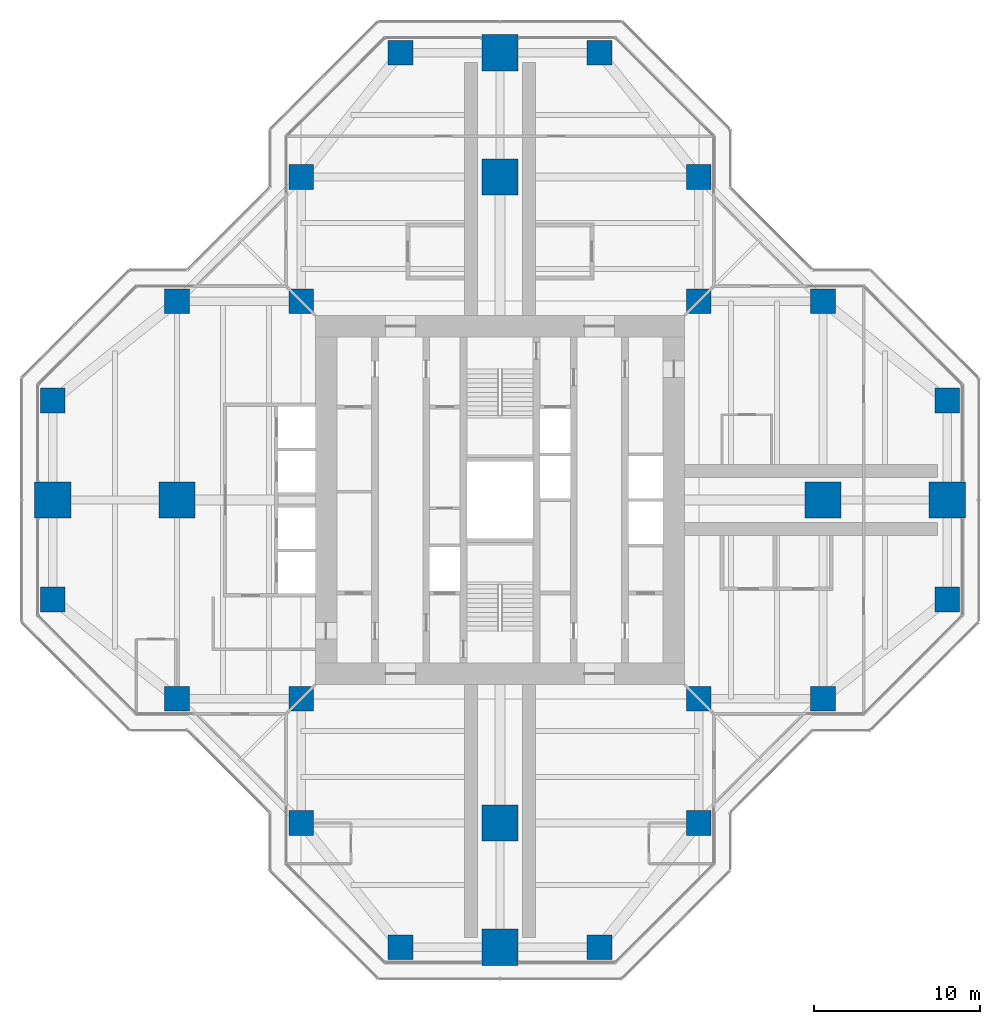
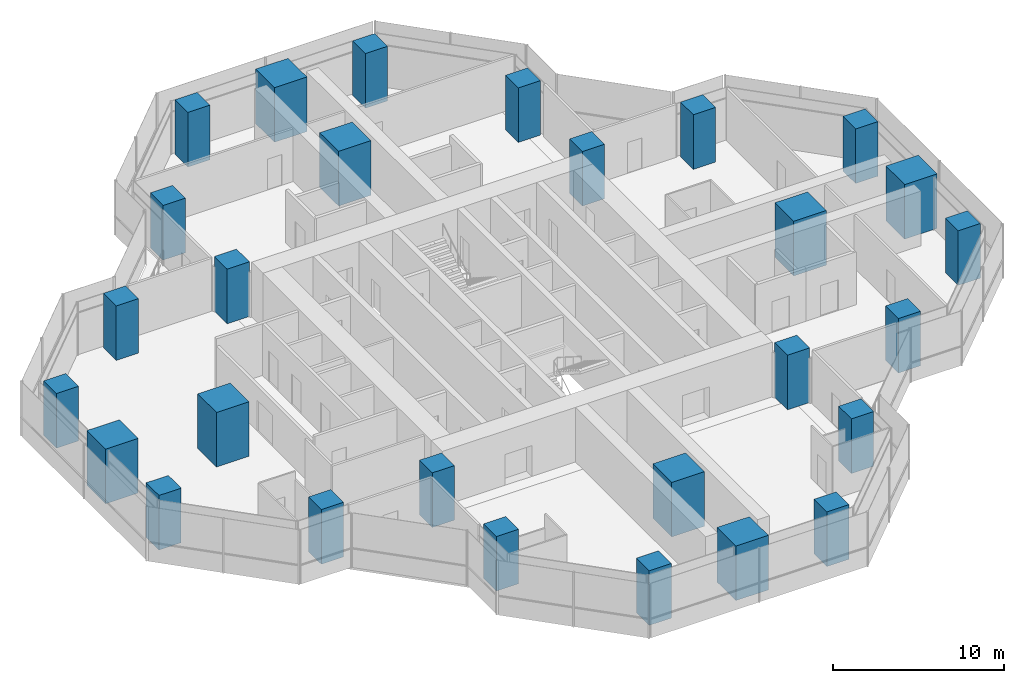
# One storey, part 1 of 17: 28 columns.
"""IFC4 building model written with IfcOpenShell, lengths in metres."""

import ifcopenshell
import ifcopenshell.guid

model = None  # the IFC model being written
_history = None  # IfcOwnerHistory: only IFC2X3 demands one
_inside = {}  # id of a spatial element -> (the spatial element, [elements in it])
_under = {}  # id of a project, library or spatial element -> (it, [spatial elements below it])
_declared = {}  # id of a project -> (the project, [libraries it declares])
_typed = {}  # id of a type object -> (the type object, [elements of that type])
_made_of = {}  # id of a material, layer set ... -> (it, [elements and type objects made of it])


def new_model(schema):
    """Start an empty IFC model of exactly this schema.

    Asked for "IFC4X3", IfcOpenShell would pick the latest addendum, in which some entities
    have other attributes; the version numbers below select the first issue.
    IFC2X3 requires an IfcOwnerHistory on every rooted entity: one is made here for all.
    """
    global model, _history
    if schema == "IFC4X3":
        model = ifcopenshell.file(schema_version=(4, 3, 0, 0))
    else:
        model = ifcopenshell.file(schema=schema)
    _inside.clear()
    _under.clear()
    _declared.clear()
    _typed.clear()
    _made_of.clear()
    _history = None
    if model.schema == "IFC2X3":
        org = make("IfcOrganization", Name="unknown")
        user = make(
            "IfcPersonAndOrganization",
            ThePerson=make("IfcPerson", FamilyName="unknown"),
            TheOrganization=org,
        )
        app = make(
            "IfcApplication",
            ApplicationDeveloper=org,
            Version="unknown",
            ApplicationFullName="unknown",
            ApplicationIdentifier="unknown",
        )
        _history = make(
            "IfcOwnerHistory",
            OwningUser=user,
            OwningApplication=app,
            ChangeAction="ADDED",
            CreationDate=0,
        )
    return model


def make(cls, **values):
    """One entity of the class cls with the attributes given. An attribute that is None is left unset."""
    return model.create_entity(
        cls, **{name: value for name, value in values.items() if value is not None}
    )


def rooted(cls, **values):
    """An entity with a GlobalId (a new one), such as an element, a storey or a relation."""
    return make(cls, GlobalId=ifcopenshell.guid.new(), OwnerHistory=_history, **values)


def si_unit(unit_type, name, prefix=None):
    """IfcSIUnit, for example si_unit("LENGTHUNIT", "METRE", prefix="MILLI")."""
    return make("IfcSIUnit", UnitType=unit_type, Prefix=prefix, Name=name)


def assignment(units):
    """IfcUnitAssignment: the units of a project."""
    return None if units is None else make("IfcUnitAssignment", Units=units)


def point(xyz):
    """IfcCartesianPoint."""
    return None if xyz is None else make("IfcCartesianPoint", Coordinates=xyz)


def direction(xyz):
    """IfcDirection."""
    return None if xyz is None else make("IfcDirection", DirectionRatios=xyz)


def frame(location, z_axis=None, x_axis=None):
    """IfcAxis2Placement3D, a coordinate frame: its origin and axes. An axis left out is left unset."""
    return make(
        "IfcAxis2Placement3D",
        Location=point(location),
        Axis=direction(z_axis),
        RefDirection=direction(x_axis),
    )


def frame_2d(location, x_axis=None):
    """IfcAxis2Placement2D, a coordinate frame in the plane: its origin and x axis."""
    return make(
        "IfcAxis2Placement2D", Location=point(location), RefDirection=direction(x_axis)
    )


def origin():
    """The frame at (0, 0, 0) with its axes left unset."""
    return frame((0.0, 0.0, 0.0))


def origin_2d():
    """The frame at (0, 0) in the plane with its x axis left unset."""
    return frame_2d((0.0, 0.0))


def place(relative_to, where):
    """IfcLocalPlacement: puts the frame where relative to a parent placement (None: the world)."""
    return make(
        "IfcLocalPlacement", PlacementRelTo=relative_to, RelativePlacement=where
    )


def context(
    kind, dimensions, precision=None, world=None, true_north=None, identifier=None
):
    """IfcGeometricRepresentationContext, for example the 3D "Model" context."""
    return make(
        "IfcGeometricRepresentationContext",
        ContextIdentifier=identifier,
        ContextType=kind,
        CoordinateSpaceDimension=dimensions,
        Precision=precision,
        WorldCoordinateSystem=world,
        TrueNorth=true_north,
    )


def subcontext(parent, identifier, kind, view, scale=None):
    """IfcGeometricRepresentationSubContext, for example "Body" below "Model"."""
    return make(
        "IfcGeometricRepresentationSubContext",
        ContextIdentifier=identifier,
        ContextType=kind,
        ParentContext=parent,
        TargetScale=scale,
        TargetView=view,
    )


def project(units=None, contexts=None):
    """IfcProject with its units and contexts."""
    return rooted(
        "IfcProject",
        Name="project",
        RepresentationContexts=contexts,
        UnitsInContext=assignment(units),
    )


def spatial(cls, under=None, at=None, **own):
    """A site, building, storey or space (cls), placed at a placement, below another one or the project."""
    s = rooted(cls, ObjectPlacement=at, **own)
    if under is not None:
        _under.setdefault(under.id(), (under, []))[1].append(s)
    return s


def profile(cls, at=None, kind="AREA", **sizes):
    """A parametric profile (cls). Its sizes go by their IFC names, for example OverallWidth=200.0."""
    return make(cls, ProfileType=kind, Position=at, **sizes)


def rectangle(**sizes):
    """IfcRectangleProfileDef."""
    return profile("IfcRectangleProfileDef", **sizes)


def extrude(swept, where, along, depth):
    """IfcExtrudedAreaSolid: the profile swept, set in the frame where, extruded along a direction by depth."""
    return make(
        "IfcExtrudedAreaSolid",
        SweptArea=swept,
        Position=where,
        ExtrudedDirection=direction(along),
        Depth=depth,
    )


def shape(context_of_items, identifier, shape_type, items):
    """IfcShapeRepresentation: the items that make up one representation, for example the "Body"."""
    return make(
        "IfcShapeRepresentation",
        ContextOfItems=context_of_items,
        RepresentationIdentifier=identifier,
        RepresentationType=shape_type,
        Items=items,
    )


def material(Name=None, Category=None):
    """IfcMaterial."""
    return make("IfcMaterial", Name=Name, Category=Category)


def material_profile(
    of_material, cross_section, Name=None, Category=None, Priority=None
):
    """IfcMaterialProfile: a cross section and its material."""
    return make(
        "IfcMaterialProfile",
        Name=Name,
        Material=of_material,
        Profile=cross_section,
        Priority=Priority,
        Category=Category,
    )


def profile_set(profiles, Name=None, composite=None):
    """IfcMaterialProfileSet."""
    return make(
        "IfcMaterialProfileSet",
        Name=Name,
        MaterialProfiles=profiles,
        CompositeProfile=composite,
    )


def made_of(thing, what):
    """Note that an element or type object is made of a material, layer set ...; save() writes the relation."""
    if what is not None:
        _made_of.setdefault(what.id(), (what, []))[1].append(thing)
    return thing


def type_object(cls, material=None, **own):
    """A type object (cls), such as IfcWallType, which elements share."""
    return made_of(rooted(cls, **own), material)


def element(
    cls,
    number,
    at=None,
    inside=None,
    cuts=None,
    type_object=None,
    material=None,
    context=None,
    identifier="Body",
    shape_type=None,
    held_by="IfcProductDefinitionShape",
    body=None,
    shapes=None,
    **own,
):
    """One element of the class cls, such as IfcWall. Its Tag is "e" and its number.

    at: its placement. inside: the storey or other place that contains it. cuts: it is an
    opening in that element (IfcRelVoidsElement). A single representation is given by context,
    identifier, shape_type and body (its items); several are given by shapes. held_by: the class
    of the entity that holds the representations. save() writes the other relations.
    """
    e = rooted(cls, Tag="e%d" % number, ObjectPlacement=at, **own)
    if body is not None:
        shapes = [shape(context, identifier, shape_type, body)]
    if shapes is not None:
        e.Representation = make(held_by, Representations=shapes)
    if inside is not None:
        _inside.setdefault(inside.id(), (inside, []))[1].append(e)
    if cuts is not None:
        rooted(
            "IfcRelVoidsElement", RelatingBuildingElement=cuts, RelatedOpeningElement=e
        )
    if type_object is not None:
        _typed.setdefault(type_object.id(), (type_object, []))[1].append(e)
    return made_of(e, material)


def aggregate(whole, parts):
    """IfcRelAggregates: a whole, such as a stair, and the parts it consists of."""
    return rooted("IfcRelAggregates", RelatingObject=whole, RelatedObjects=parts)


def save(model, path):
    """Write the relations noted so far, then the file.

    IfcRelAggregates (storeys below a building ...), IfcRelContainedInSpatialStructure (elements
    in a storey), IfcRelDefinesByType, IfcRelAssociatesMaterial and IfcRelDeclares: one each for
    every whole, place, type object, material and project.
    """
    for whole, parts in _under.values():
        aggregate(whole, parts)
    for where, things in _inside.values():
        rooted(
            "IfcRelContainedInSpatialStructure",
            RelatedElements=things,
            RelatingStructure=where,
        )
    for kind, things in _typed.values():
        rooted("IfcRelDefinesByType", RelatedObjects=things, RelatingType=kind)
    for what, things in _made_of.values():
        rooted("IfcRelAssociatesMaterial", RelatedObjects=things, RelatingMaterial=what)
    for by, libraries in _declared.values():
        rooted("IfcRelDeclares", RelatingContext=by, RelatedDefinitions=libraries)
    model.write(path)


model = new_model("IFC4")

# Units and contexts
model_context = context("Model", 3, precision=1e-05, world=origin(), true_north=direction((0.0, 1.0)))
body_context = subcontext(model_context, "Body", "Model", "MODEL_VIEW")
ifc_project = project(units=[si_unit("LENGTHUNIT", "METRE"), si_unit("AREAUNIT", "SQUARE_METRE"), si_unit("VOLUMEUNIT", "CUBIC_METRE"), si_unit("PLANEANGLEUNIT", "RADIAN"), si_unit("MASSUNIT", "GRAM", prefix="KILO")], contexts=[model_context])

# Site, building, storey
site_placement = place(None, origin())
site = spatial("IfcSite", under=ifc_project, at=site_placement, CompositionType="ELEMENT")
building_placement = place(site_placement, origin())
building = spatial("IfcBuilding", under=site, at=building_placement, Name="Mizan Broadcast Tower", CompositionType="ELEMENT")
storey_placement = place(building_placement, frame((0.0, 0.0, 228.300048828125)))
storey = spatial("IfcBuildingStorey", under=building, at=storey_placement, Name="L53", CompositionType="ELEMENT", Elevation=228.300048828125)

# Columns
ifc_material_1 = material(Name="Concrete C70/85", Category="concrete")
ifc_material_profile_1 = material_profile(ifc_material_1, rectangle(XDim=1.5, YDim=1.5, at=origin_2d()), Name="RC 1500x1500")
ifc_profile_set_1 = profile_set([ifc_material_profile_1], Name="Concrete C70/85")
column_type_1 = type_object("IfcColumnType", Name="RC COLUMN 1500x1500 C70/85", PredefinedType="COLUMN", material=ifc_profile_set_1)
for number, where, z_axis, x_axis, name in (
    (1, (-6.0, -27.0, 0.0), (0.0, 0.0, 1.0), (1.0, 0.0, 0.0), "Column 5/B L53"),
    (2, (6.0, -27.0, 0.0), (0.0, 0.0, 1.0), (1.0, 0.0, 0.0), "Column 7/B L53"),
    (3, (-12.0, -19.5, 0.0), (0.0, 0.0, 1.0), (1.0, 0.0, 0.0), "Column 4/C L53"),
    (4, (12.0, -19.5, 0.0), (0.0, 0.0, 1.0), (1.0, 0.0, 0.0), "Column 8/C L53"),
    (5, (-19.5, -12.0, 0.0), (0.0, 0.0, 1.0), (1.0, 0.0, 0.0), "Column 3/D L53"),
    (6, (-12.0, -12.0, 0.0), (0.0, 0.0, 1.0), (1.0, 0.0, 0.0), "Column 4/D L53"),
    (7, (12.0, -12.0, 0.0), (0.0, 0.0, 1.0), (1.0, 0.0, 0.0), "Column 8/D L53"),
    (8, (19.5, -12.0, 0.0), (0.0, 0.0, 1.0), (1.0, 0.0, 0.0), "Column 9/D L53"),
    (9, (-27.0, -6.0, 0.0), (0.0, 0.0, 1.0), (1.0, 0.0, 0.0), "Column 2/E L53"),
    (10, (27.0, -6.0, 0.0), (0.0, 0.0, 1.0), (1.0, 0.0, 0.0), "Column 10/E L53"),
    (11, (-27.0, 6.0, 0.0), (0.0, 0.0, 1.0), (1.0, 0.0, 0.0), "Column 2/G L53"),
    (12, (27.0, 6.0, 0.0), (0.0, 0.0, 1.0), (1.0, 0.0, 0.0), "Column 10/G L53"),
    (13, (-19.5, 12.0, 0.0), (0.0, 0.0, 1.0), (1.0, 0.0, 0.0), "Column 3/H L53"),
    (14, (-12.0, 12.0, 0.0), (0.0, 0.0, 1.0), (1.0, 0.0, 0.0), "Column 4/H L53"),
    (15, (12.0, 12.0, 0.0), (0.0, 0.0, 1.0), (1.0, 0.0, 0.0), "Column 8/H L53"),
    (16, (19.5, 12.0, 0.0), (0.0, 0.0, 1.0), (1.0, 0.0, 0.0), "Column 9/H L53"),
    (17, (-12.0, 19.5, 0.0), (0.0, 0.0, 1.0), (1.0, 0.0, 0.0), "Column 4/J L53"),
    (18, (12.0, 19.5, 0.0), (0.0, 0.0, 1.0), (1.0, 0.0, 0.0), "Column 8/J L53"),
    (19, (-6.0, 27.0, 0.0), (0.0, 0.0, 1.0), (1.0, 0.0, 0.0), "Column 5/K L53"),
    (20, (6.0, 27.0, 0.0), (0.0, 0.0, 1.0), (1.0, 0.0, 0.0), "Column 7/K L53"),
):
    element("IfcColumn", number, at=place(storey_placement, frame(where, z_axis=z_axis, x_axis=x_axis)), inside=storey, type_object=column_type_1, Name=name, PredefinedType="COLUMN", context=body_context, shape_type="SweptSolid", body=[
        extrude(rectangle(XDim=1.5, YDim=1.5, at=origin_2d()), origin(), (0.0, 0.0, 1.0), 3.89990234375),
    ])
ifc_material_2 = material(Name="Concrete C70/85", Category="concrete")
ifc_material_profile_2 = material_profile(ifc_material_2, rectangle(XDim=2.199951171875, YDim=2.199951171875, at=origin_2d()), Name="RC 2200x2200")
ifc_profile_set_2 = profile_set([ifc_material_profile_2], Name="Concrete C70/85")
column_type_2 = type_object("IfcColumnType", Name="RC COLUMN 2200x2200 C70/85", PredefinedType="COLUMN", material=ifc_profile_set_2)
for number, where, z_axis, x_axis, name in (
    (21, (0.0, -27.0, 0.0), (0.0, 0.0, 1.0), (1.0, 0.0, 0.0), "Column 6/B L53"),
    (22, (0.0, -19.5, 0.0), (0.0, 0.0, 1.0), (1.0, 0.0, 0.0), "Column 6/C L53"),
    (23, (-27.0, 0.0, 0.0), (0.0, 0.0, 1.0), (1.0, 0.0, 0.0), "Column 2/F L53"),
    (24, (-19.5, 0.0, 0.0), (0.0, 0.0, 1.0), (1.0, 0.0, 0.0), "Column 3/F L53"),
    (25, (19.5, 0.0, 0.0), (0.0, 0.0, 1.0), (1.0, 0.0, 0.0), "Column 9/F L53"),
    (26, (27.0, 0.0, 0.0), (0.0, 0.0, 1.0), (1.0, 0.0, 0.0), "Column 10/F L53"),
    (27, (0.0, 19.5, 0.0), (0.0, 0.0, 1.0), (1.0, 0.0, 0.0), "Column 6/J L53"),
    (28, (0.0, 27.0, 0.0), (0.0, 0.0, 1.0), (1.0, 0.0, 0.0), "Column 6/K L53"),
):
    element("IfcColumn", number, at=place(storey_placement, frame(where, z_axis=z_axis, x_axis=x_axis)), inside=storey, type_object=column_type_2, Name=name, PredefinedType="COLUMN", context=body_context, shape_type="SweptSolid", body=[
        extrude(rectangle(XDim=2.199951171875, YDim=2.199951171875, at=origin_2d()), origin(), (0.0, 0.0, 1.0), 3.89990234375),
    ])

save(model, "model.ifc")
